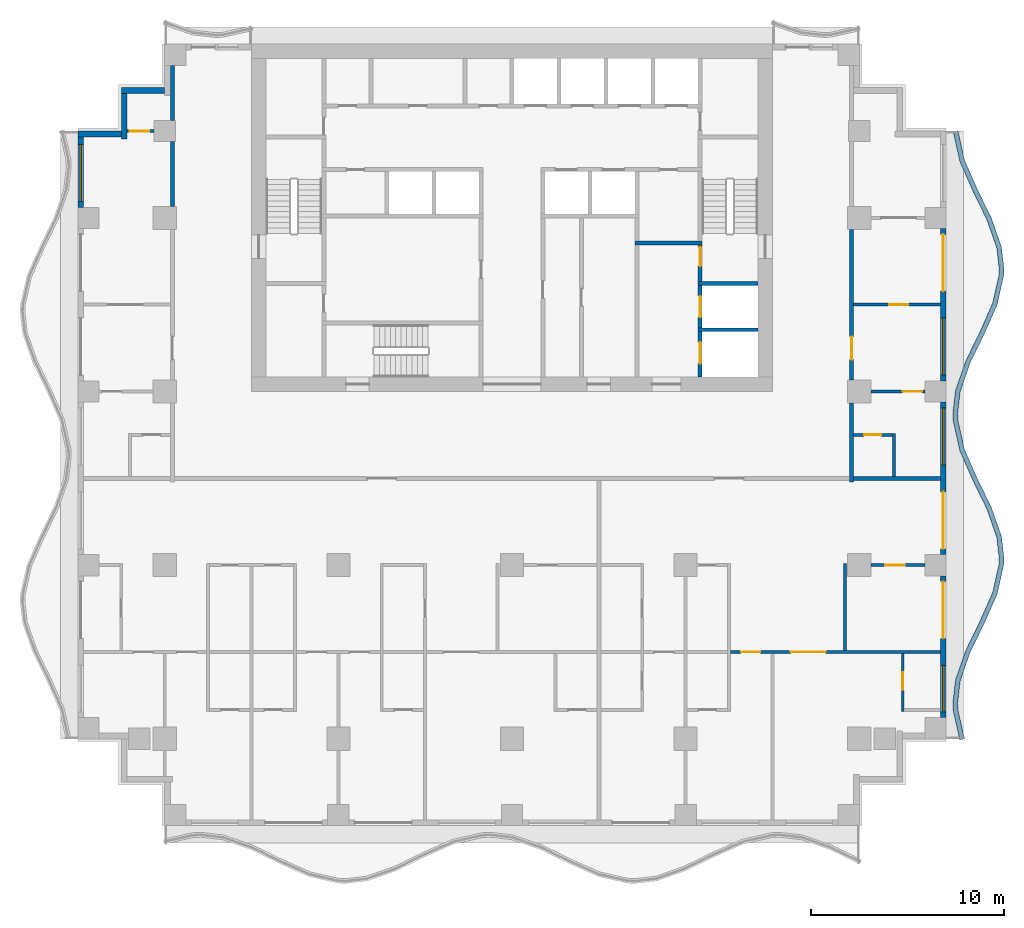
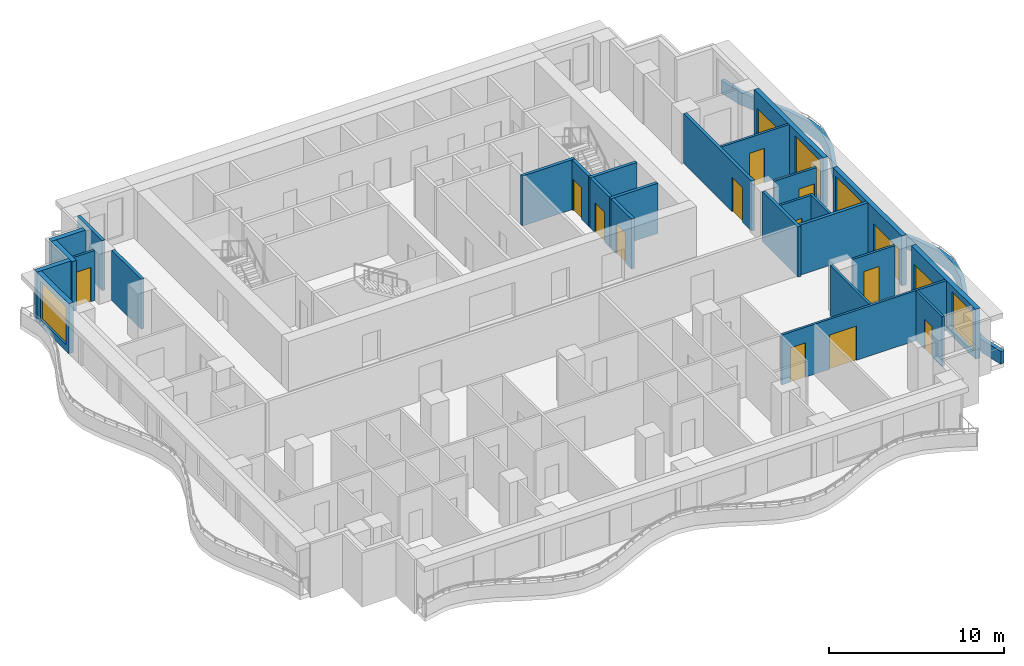
# One storey, part 4 of 10: 28 walls, 15 doors, 4 windows, 19 openings.
"""IFC4 building model written with IfcOpenShell, lengths in metres."""

from ifc_helpers import new_model, si_unit, direction, frame, frame_2d, origin, place, context, subcontext, project, spatial, polyline, rectangle, outline, extrude, material, layer, layer_set, type_object, element, fill, save


model = new_model("IFC4")

# Units and contexts
model_context = context("Model", 3, precision=1e-05, world=origin(), true_north=direction((0.0, 1.0)))
body_context = subcontext(model_context, "Body", "Model", "MODEL_VIEW")
ifc_project = project(units=[si_unit("LENGTHUNIT", "METRE"), si_unit("AREAUNIT", "SQUARE_METRE"), si_unit("VOLUMEUNIT", "CUBIC_METRE"), si_unit("PLANEANGLEUNIT", "RADIAN"), si_unit("MASSUNIT", "GRAM", prefix="KILO")], contexts=[model_context])

# Site, building, storey
site_placement = place(None, origin())
site = spatial("IfcSite", under=ifc_project, at=site_placement, CompositionType="ELEMENT")
building_placement = place(site_placement, origin())
building = spatial("IfcBuilding", under=site, at=building_placement, Name="Orbiselva Terraces", CompositionType="ELEMENT")
storey_placement = place(building_placement, frame((0.0, 0.0, 163.0)))
storey = spatial("IfcBuildingStorey", under=building, at=storey_placement, Name="L41", CompositionType="ELEMENT", Elevation=163.0)

# Wall
ifc_material_1 = material(Name="Concrete C60/75", Category="concrete")
ifc_layer_1 = layer(ifc_material_1, 0.2)
ifc_layer_set_1 = layer_set([ifc_layer_1], Name="Concrete C60/75")
wall_type_1 = type_object("IfcWallType", Name="CORE-WALL-SHEAR-200", PredefinedType="SHEAR", material=ifc_layer_set_1)
wall_1_placement = place(storey_placement, frame((6.375, 12.2, 0.0), z_axis=(0.0, 0.0, 1.0), x_axis=(1.0, 0.0, 0.0)))
element("IfcWall", 1, at=wall_1_placement, inside=storey, type_object=wall_type_1, Name="L41 core wall 31", PredefinedType="SHEAR", context=body_context, shape_type="SweptSolid", body=[
    extrude(rectangle(XDim=3.475, YDim=0.2, at=frame_2d((1.7375, 0.0))), origin(), (0.0, 0.0, 1.0), 3.5),
])

# Wall, opening, door
wall_2_placement = place(storey_placement, frame((9.75, 5.25, 0.0), z_axis=(0.0, 0.0, 1.0), x_axis=(0.0, 1.0, 0.0)))
wall_2 = element("IfcWall", 2, at=wall_2_placement, inside=storey, type_object=wall_type_1, Name="L41 core wall 35", PredefinedType="SHEAR", context=body_context, shape_type="SweptSolid", body=[
    extrude(rectangle(XDim=2.35, YDim=0.2, at=frame_2d((1.175, 0.0))), origin(), (0.0, 0.0, 1.0), 3.5),
])
opening_1_placement = place(wall_2_placement, frame((0.7, 0.0, 0.0)))
opening_1 = element("IfcOpeningElement", 3, at=opening_1_placement, cuts=wall_2, Name="Opening LD-FF1", PredefinedType="OPENING", context=body_context, shape_type="SweptSolid", body=[
    extrude(rectangle(XDim=1.1, YDim=2.1, at=frame_2d((0.55, 1.05))), frame((0.0, 0.11, 0.0), z_axis=(0.0, -1.0, 0.0), x_axis=(1.0, 0.0, 0.0)), (0.0, 0.0, 1.0), 0.22),
])
ifc_material_2 = material(Name="Stainless steel landing door", Category="steel")
door_type_1 = type_object("IfcDoorType", Name="LANDING DOOR 1100", OperationType="SLIDING_TO_LEFT", PredefinedType="DOOR", material=ifc_material_2)
door_1_placement = place(opening_1_placement, origin())
door_1 = element("IfcDoor", 4, at=door_1_placement, inside=storey, type_object=door_type_1, Name="L41 landing door FF1", OperationType="SLIDING_TO_RIGHT", OverallHeight=2.1, OverallWidth=1.1, PredefinedType="DOOR", context=body_context, shape_type="SweptSolid", body=[
    extrude(rectangle(XDim=1.1, YDim=2.1, at=frame_2d((0.55, 1.05))), frame((0.0, 0.025, 0.0), z_axis=(0.0, -1.0, 0.0), x_axis=(1.0, 0.0, 0.0)), (0.0, 0.0, 1.0), 0.05),
])
fill(opening_1, door_1)

# Wall
wall_3_placement = place(storey_placement, frame((9.65, 7.7, 0.0), z_axis=(0.0, 0.0, 1.0), x_axis=(1.0, 0.0, 0.0)))
element("IfcWall", 5, at=wall_3_placement, inside=storey, type_object=wall_type_1, Name="L41 core wall 36", PredefinedType="SHEAR", context=body_context, shape_type="SweptSolid", body=[
    extrude(rectangle(XDim=3.1, YDim=0.2, at=frame_2d((1.55, 0.0))), origin(), (0.0, 0.0, 1.0), 3.5),
])

# Wall, opening, door
wall_4_placement = place(storey_placement, frame((9.75, 7.8, 0.0), z_axis=(0.0, 0.0, 1.0), x_axis=(0.0, 1.0, 0.0)))
wall_4 = element("IfcWall", 6, at=wall_4_placement, inside=storey, type_object=wall_type_1, Name="L41 core wall 37", PredefinedType="SHEAR", context=body_context, shape_type="SweptSolid", body=[
    extrude(rectangle(XDim=2.2, YDim=0.2, at=frame_2d((1.1, 0.0))), origin(), (0.0, 0.0, 1.0), 3.5),
])
opening_2_placement = place(wall_4_placement, frame((0.55, 0.0, 0.0)))
opening_2 = element("IfcOpeningElement", 7, at=opening_2_placement, cuts=wall_4, Name="Opening LD-FF2", PredefinedType="OPENING", context=body_context, shape_type="SweptSolid", body=[
    extrude(rectangle(XDim=1.1, YDim=2.1, at=frame_2d((0.55, 1.05))), frame((0.0, 0.11, 0.0), z_axis=(0.0, -1.0, 0.0), x_axis=(1.0, 0.0, 0.0)), (0.0, 0.0, 1.0), 0.22),
])
door_2_placement = place(opening_2_placement, origin())
door_2 = element("IfcDoor", 8, at=door_2_placement, inside=storey, type_object=door_type_1, Name="L41 landing door FF2", OperationType="SLIDING_TO_RIGHT", OverallHeight=2.1, OverallWidth=1.1, PredefinedType="DOOR", context=body_context, shape_type="SweptSolid", body=[
    extrude(rectangle(XDim=1.1, YDim=2.1, at=frame_2d((0.55, 1.05))), frame((0.0, 0.025, 0.0), z_axis=(0.0, -1.0, 0.0), x_axis=(1.0, 0.0, 0.0)), (0.0, 0.0, 1.0), 0.05),
])
fill(opening_2, door_2)

# Wall
wall_5_placement = place(storey_placement, frame((9.65, 10.1, 0.0), z_axis=(0.0, 0.0, 1.0), x_axis=(1.0, 0.0, 0.0)))
element("IfcWall", 9, at=wall_5_placement, inside=storey, type_object=wall_type_1, Name="L41 core wall 38", PredefinedType="SHEAR", context=body_context, shape_type="SweptSolid", body=[
    extrude(rectangle(XDim=3.1, YDim=0.2, at=frame_2d((1.55, 0.0))), origin(), (0.0, 0.0, 1.0), 3.5),
])

# Wall, opening, door
wall_6_placement = place(storey_placement, frame((9.75, 12.1, 0.0), z_axis=(0.0, 0.0, 1.0), x_axis=(0.0, -1.0, 0.0)))
wall_6 = element("IfcWall", 10, at=wall_6_placement, inside=storey, type_object=wall_type_1, Name="L41 core wall 39", PredefinedType="SHEAR", context=body_context, shape_type="SweptSolid", body=[
    extrude(rectangle(XDim=1.9, YDim=0.2, at=frame_2d((0.95, 0.0))), origin(), (0.0, 0.0, 1.0), 3.5),
])
opening_3_placement = place(wall_6_placement, frame((0.1, 0.0, 0.0)))
opening_3 = element("IfcOpeningElement", 11, at=opening_3_placement, cuts=wall_6, Name="Opening DS1000", PredefinedType="OPENING", context=body_context, shape_type="SweptSolid", body=[
    extrude(rectangle(XDim=1.0, YDim=2.2, at=frame_2d((0.5, 1.1))), frame((0.0, 0.11, 0.0), z_axis=(0.0, -1.0, 0.0), x_axis=(1.0, 0.0, 0.0)), (0.0, 0.0, 1.0), 0.22),
])
ifc_material_3 = material(Name="Steel fire door", Category="steel")
door_type_2 = type_object("IfcDoorType", Name="STAIR DOOR 1000", OperationType="NOTDEFINED", PredefinedType="DOOR", material=ifc_material_3)
door_3_placement = place(opening_3_placement, origin())
door_3 = element("IfcDoor", 12, at=door_3_placement, inside=storey, type_object=door_type_2, Name="L41 FIRE-FIGHTING LOBBY TO EXIT STAIR S2 door", OperationType="SINGLE_SWING_LEFT", OverallHeight=2.2, OverallWidth=1.0, PredefinedType="DOOR", context=body_context, shape_type="SweptSolid", body=[
    extrude(rectangle(XDim=1.0, YDim=2.2, at=frame_2d((0.5, 1.1))), frame((0.0, 0.025, 0.0), z_axis=(0.0, -1.0, 0.0), x_axis=(1.0, 0.0, 0.0)), (0.0, 0.0, 1.0), 0.05),
])
fill(opening_3, door_3)

# Wall
ifc_material_4 = material(Name="Concrete C40/50", Category="concrete")
ifc_layer_2 = layer(ifc_material_4, 0.25)
ifc_layer_set_2 = layer_set([ifc_layer_2], Name="Concrete C40/50")
wall_type_2 = type_object("IfcWallType", Name="ENV-PLANTER-250x900", PredefinedType="USERDEFINED", material=ifc_layer_set_2)
wall_7_placement = place(storey_placement, origin())
element("IfcWall", 13, at=wall_7_placement, inside=storey, type_object=wall_type_2, Name="Balcony planter L41 E", ObjectType="PLANTER", PredefinedType="USERDEFINED", context=body_context, shape_type="SweptSolid", body=[
    extrude(outline(polyline([(23.451472, -13.5), (23.114774, -12.0), (23.1, -11.625), (23.230792, -10.5), (23.755211, -9.0), (24.487721, -7.5), (25.148528, -6.0), (25.485226, -4.5), (25.5, -4.125), (25.369208, -3.0), (24.844789, -1.5), (24.112279, 0.0), (23.451472, 1.5), (23.114774, 3.0), (23.1, 3.375), (23.230792, 4.5), (23.755211, 6.0), (24.487721, 7.5), (25.148528, 9.0), (25.485226, 10.5), (25.5, 10.875), (25.369208, 12.0), (24.844789, 13.5), (24.112279, 15.0), (23.451472, 16.5), (23.114774, 18.0), (22.870844, 17.945246), (23.212874, 16.421492), (23.885477, 14.894714), (24.613667, 13.40356), (25.124078, 11.943629), (25.249429, 10.865428), (25.236315, 10.532565), (24.90993, 9.078508), (24.260919, 7.605286), (23.524089, 6.09644), (22.985662, 4.556371), (22.849429, 3.384572), (22.865863, 2.967435), (23.212874, 1.421492), (23.885477, -0.105286), (24.613667, -1.59644), (25.124078, -3.056371), (25.249429, -4.134572), (25.236315, -4.467435), (24.90993, -5.921492), (24.260919, -7.394714), (23.524089, -8.90356), (22.985662, -10.443629), (22.849429, -11.615428), (22.865863, -12.032565), (23.207542, -13.554754), (23.451472, -13.5)])), origin(), (0.0, 0.0, 1.0), 0.9),
])

# Wall, openings, door, window
ifc_material_5 = material(Name="Terracotta cladding on masonry backing", Category="masonry")
ifc_layer_3 = layer(ifc_material_5, 0.3)
ifc_layer_set_3 = layer_set([ifc_layer_3], Name="Terracotta cladding on masonry backing")
wall_type_3 = type_object("IfcWallType", Name="ENV-WALL-TERRACOTTA-300", PredefinedType="SOLIDWALL", material=ifc_layer_set_3)
wall_8_placement = place(storey_placement, frame((22.35, -5.05, 0.0), z_axis=(0.0, 0.0, 1.0), x_axis=(0.0, -1.0, 0.0)))
wall_8 = element("IfcWall", 14, at=wall_8_placement, inside=storey, type_object=wall_type_3, Name="Facade wall L41 E", PredefinedType="SOLIDWALL", context=body_context, shape_type="SweptSolid", body=[
    extrude(rectangle(XDim=7.35, YDim=0.3, at=frame_2d((3.675, 0.0))), origin(), (0.0, 0.0, 1.0), 3.5),
])
opening_4_placement = place(wall_8_placement, frame((4.65, 0.0, 0.45)))
opening_4 = element("IfcOpeningElement", 15, at=opening_4_placement, cuts=wall_8, Name="Opening WN11", PredefinedType="OPENING", context=body_context, shape_type="SweptSolid", body=[
    extrude(rectangle(XDim=2.4, YDim=2.65, at=frame_2d((1.2, 1.325))), frame((0.0, 0.16, 0.0), z_axis=(0.0, -1.0, 0.0), x_axis=(1.0, 0.0, 0.0)), (0.0, 0.0, 1.0), 0.32),
])
opening_5_placement = place(wall_8_placement, frame((0.3, 0.0, 0.0)))
opening_5 = element("IfcOpeningElement", 16, at=opening_5_placement, cuts=wall_8, Name="Opening Z3-D-E10", PredefinedType="OPENING", context=body_context, shape_type="SweptSolid", body=[
    extrude(rectangle(XDim=2.95, YDim=2.4, at=frame_2d((1.475, 1.2))), frame((0.0, 0.16, 0.0), z_axis=(0.0, -1.0, 0.0), x_axis=(1.0, 0.0, 0.0)), (0.0, 0.0, 1.0), 0.32),
])
ifc_material_6 = material(Name="Clear low-e glazing in aluminium frame", Category="aluminium")
door_type_3 = type_object("IfcDoorType", Name="BALCONY DOOR 2950 X 2400", OperationType="DOUBLE_DOOR_SLIDING", PredefinedType="DOOR", material=ifc_material_6)
door_4_placement = place(opening_5_placement, origin())
door_4 = element("IfcDoor", 17, at=door_4_placement, inside=storey, type_object=door_type_3, Name="Z3-D-E10", OperationType="SINGLE_SWING_LEFT", OverallHeight=2.4, OverallWidth=2.95, PredefinedType="DOOR", context=body_context, shape_type="SweptSolid", body=[
    extrude(rectangle(XDim=2.95, YDim=2.4, at=frame_2d((1.475, 1.2))), frame((0.0, 0.025, 0.0), z_axis=(0.0, -1.0, 0.0), x_axis=(1.0, 0.0, 0.0)), (0.0, 0.0, 1.0), 0.05),
])
fill(opening_5, door_4)
window_type_1 = type_object("IfcWindowType", Name="WINDOW 2400 X 2650 S450", PartitioningType="TRIPLE_PANEL_VERTICAL", PredefinedType="WINDOW", material=ifc_material_6)
window_1_placement = place(opening_4_placement, origin())
window_1 = element("IfcWindow", 18, at=window_1_placement, inside=storey, type_object=window_type_1, Name="Window L41 E", OverallHeight=2.65, OverallWidth=2.4, PartitioningType="SINGLE_PANEL", PredefinedType="WINDOW", context=body_context, shape_type="SweptSolid", body=[
    extrude(rectangle(XDim=2.4, YDim=2.65, at=frame_2d((1.2, 1.325))), frame((0.0, 0.03, 0.0), z_axis=(0.0, -1.0, 0.0), x_axis=(1.0, 0.0, 0.0)), (0.0, 0.0, 1.0), 0.06),
])
fill(opening_4, window_1)

wall_9_placement = place(storey_placement, frame((22.35, 3.95, 0.0), z_axis=(0.0, 0.0, 1.0), x_axis=(0.0, -1.0, 0.0)))
wall_9 = element("IfcWall", 19, at=wall_9_placement, inside=storey, type_object=wall_type_3, Name="Facade wall L41 E", PredefinedType="SOLIDWALL", context=body_context, shape_type="SweptSolid", body=[
    extrude(rectangle(XDim=7.9, YDim=0.3, at=frame_2d((3.95, 0.0))), origin(), (0.0, 0.0, 1.0), 3.5),
])
opening_6_placement = place(wall_9_placement, frame((4.65, 0.0, 0.0)))
opening_6 = element("IfcOpeningElement", 20, at=opening_6_placement, cuts=wall_9, Name="Opening Z3-D-E03", PredefinedType="OPENING", context=body_context, shape_type="SweptSolid", body=[
    extrude(rectangle(XDim=2.95, YDim=2.4, at=frame_2d((1.475, 1.2))), frame((0.0, 0.16, 0.0), z_axis=(0.0, -1.0, 0.0), x_axis=(1.0, 0.0, 0.0)), (0.0, 0.0, 1.0), 0.32),
])
opening_7_placement = place(wall_9_placement, frame((0.3, 0.0, 0.45)))
opening_7 = element("IfcOpeningElement", 21, at=opening_7_placement, cuts=wall_9, Name="Opening WN12", PredefinedType="OPENING", context=body_context, shape_type="SweptSolid", body=[
    extrude(rectangle(XDim=2.95, YDim=2.65, at=frame_2d((1.475, 1.325))), frame((0.0, 0.16, 0.0), z_axis=(0.0, -1.0, 0.0), x_axis=(1.0, 0.0, 0.0)), (0.0, 0.0, 1.0), 0.32),
])
door_5_placement = place(opening_6_placement, origin())
door_5 = element("IfcDoor", 22, at=door_5_placement, inside=storey, type_object=door_type_3, Name="Z3-D-E03", OperationType="SINGLE_SWING_LEFT", OverallHeight=2.4, OverallWidth=2.95, PredefinedType="DOOR", context=body_context, shape_type="SweptSolid", body=[
    extrude(rectangle(XDim=2.95, YDim=2.4, at=frame_2d((1.475, 1.2))), frame((0.0, 0.025, 0.0), z_axis=(0.0, -1.0, 0.0), x_axis=(1.0, 0.0, 0.0)), (0.0, 0.0, 1.0), 0.05),
])
fill(opening_6, door_5)
window_type_2 = type_object("IfcWindowType", Name="WINDOW 2950 X 2650 S450", PartitioningType="TRIPLE_PANEL_VERTICAL", PredefinedType="WINDOW", material=ifc_material_6)
window_2_placement = place(opening_7_placement, origin())
window_2 = element("IfcWindow", 23, at=window_2_placement, inside=storey, type_object=window_type_2, Name="Window L41 E", OverallHeight=2.65, OverallWidth=2.95, PartitioningType="SINGLE_PANEL", PredefinedType="WINDOW", context=body_context, shape_type="SweptSolid", body=[
    extrude(rectangle(XDim=2.95, YDim=2.65, at=frame_2d((1.475, 1.325))), frame((0.0, 0.03, 0.0), z_axis=(0.0, -1.0, 0.0), x_axis=(1.0, 0.0, 0.0)), (0.0, 0.0, 1.0), 0.06),
])
fill(opening_7, window_2)

wall_10_placement = place(storey_placement, frame((22.35, 12.95, 0.0), z_axis=(0.0, 0.0, 1.0), x_axis=(0.0, -1.0, 0.0)))
wall_10 = element("IfcWall", 24, at=wall_10_placement, inside=storey, type_object=wall_type_3, Name="Facade wall L41 E", PredefinedType="SOLIDWALL", context=body_context, shape_type="SweptSolid", body=[
    extrude(rectangle(XDim=7.9, YDim=0.3, at=frame_2d((3.95, 0.0))), origin(), (0.0, 0.0, 1.0), 3.5),
])
opening_8_placement = place(wall_10_placement, frame((4.65, 0.0, 0.45)))
opening_8 = element("IfcOpeningElement", 25, at=opening_8_placement, cuts=wall_10, Name="Opening WN12", PredefinedType="OPENING", context=body_context, shape_type="SweptSolid", body=[
    extrude(rectangle(XDim=2.95, YDim=2.65, at=frame_2d((1.475, 1.325))), frame((0.0, 0.16, 0.0), z_axis=(0.0, -1.0, 0.0), x_axis=(1.0, 0.0, 0.0)), (0.0, 0.0, 1.0), 0.32),
])
opening_9_placement = place(wall_10_placement, frame((0.3, 0.0, 0.0)))
opening_9 = element("IfcOpeningElement", 26, at=opening_9_placement, cuts=wall_10, Name="Opening Z3-D-E04", PredefinedType="OPENING", context=body_context, shape_type="SweptSolid", body=[
    extrude(rectangle(XDim=2.95, YDim=2.4, at=frame_2d((1.475, 1.2))), frame((0.0, 0.16, 0.0), z_axis=(0.0, -1.0, 0.0), x_axis=(1.0, 0.0, 0.0)), (0.0, 0.0, 1.0), 0.32),
])
door_6_placement = place(opening_9_placement, origin())
door_6 = element("IfcDoor", 27, at=door_6_placement, inside=storey, type_object=door_type_3, Name="Z3-D-E04", OperationType="SINGLE_SWING_LEFT", OverallHeight=2.4, OverallWidth=2.95, PredefinedType="DOOR", context=body_context, shape_type="SweptSolid", body=[
    extrude(rectangle(XDim=2.95, YDim=2.4, at=frame_2d((1.475, 1.2))), frame((0.0, 0.025, 0.0), z_axis=(0.0, -1.0, 0.0), x_axis=(1.0, 0.0, 0.0)), (0.0, 0.0, 1.0), 0.05),
])
fill(opening_9, door_6)
window_3_placement = place(opening_8_placement, origin())
window_3 = element("IfcWindow", 28, at=window_3_placement, inside=storey, type_object=window_type_2, Name="Window L41 E", OverallHeight=2.65, OverallWidth=2.95, PartitioningType="SINGLE_PANEL", PredefinedType="WINDOW", context=body_context, shape_type="SweptSolid", body=[
    extrude(rectangle(XDim=2.95, YDim=2.65, at=frame_2d((1.475, 1.325))), frame((0.0, 0.03, 0.0), z_axis=(0.0, -1.0, 0.0), x_axis=(1.0, 0.0, 0.0)), (0.0, 0.0, 1.0), 0.06),
])
fill(opening_8, window_3)

# Walls
wall_11_placement = place(storey_placement, frame((-20.25, 20.1, 0.0), z_axis=(0.0, 0.0, 1.0), x_axis=(1.0, 0.0, 0.0)))
element("IfcWall", 29, at=wall_11_placement, inside=storey, type_object=wall_type_3, Name="Facade wall L41 STEP", PredefinedType="SOLIDWALL", context=body_context, shape_type="SweptSolid", body=[
    extrude(rectangle(XDim=2.25, YDim=0.3, at=frame_2d((1.125, 0.0))), origin(), (0.0, 0.0, 1.0), 3.5),
])
wall_12_placement = place(storey_placement, frame((-20.1, 17.6, 0.0), z_axis=(0.0, 0.0, 1.0), x_axis=(0.0, 1.0, 0.0)))
element("IfcWall", 30, at=wall_12_placement, inside=storey, type_object=wall_type_3, Name="Facade wall L41 STEP", PredefinedType="SOLIDWALL", context=body_context, shape_type="SweptSolid", body=[
    extrude(rectangle(XDim=2.35, YDim=0.3, at=frame_2d((1.175, 0.0))), origin(), (0.0, 0.0, 1.0), 3.5),
])
wall_13_placement = place(storey_placement, frame((-22.5, 17.85, 0.0), z_axis=(0.0, 0.0, 1.0), x_axis=(1.0, 0.0, 0.0)))
element("IfcWall", 31, at=wall_13_placement, inside=storey, type_object=wall_type_3, Name="Facade wall L41 STEP", PredefinedType="SOLIDWALL", context=body_context, shape_type="SweptSolid", body=[
    extrude(rectangle(XDim=2.25, YDim=0.3, at=frame_2d((1.125, 0.0))), origin(), (0.0, 0.0, 1.0), 3.5),
])

# Wall, opening, window
wall_14_placement = place(storey_placement, frame((-22.35, 14.05, 0.0), z_axis=(0.0, 0.0, 1.0), x_axis=(0.0, 1.0, 0.0)))
wall_14 = element("IfcWall", 32, at=wall_14_placement, inside=storey, type_object=wall_type_3, Name="Facade wall L41 W", PredefinedType="SOLIDWALL", context=body_context, shape_type="SweptSolid", body=[
    extrude(rectangle(XDim=3.65, YDim=0.3, at=frame_2d((1.825, 0.0))), origin(), (0.0, 0.0, 1.0), 3.5),
])
opening_10_placement = place(wall_14_placement, frame((0.3, 0.0, 0.45)))
opening_10 = element("IfcOpeningElement", 33, at=opening_10_placement, cuts=wall_14, Name="Opening WN12", PredefinedType="OPENING", context=body_context, shape_type="SweptSolid", body=[
    extrude(rectangle(XDim=2.95, YDim=2.65, at=frame_2d((1.475, 1.325))), frame((0.0, 0.16, 0.0), z_axis=(0.0, -1.0, 0.0), x_axis=(1.0, 0.0, 0.0)), (0.0, 0.0, 1.0), 0.32),
])
window_4_placement = place(opening_10_placement, origin())
window_4 = element("IfcWindow", 34, at=window_4_placement, inside=storey, type_object=window_type_2, Name="Window L41 W", OverallHeight=2.65, OverallWidth=2.95, PartitioningType="SINGLE_PANEL", PredefinedType="WINDOW", context=body_context, shape_type="SweptSolid", body=[
    extrude(rectangle(XDim=2.95, YDim=2.65, at=frame_2d((1.475, 1.325))), frame((0.0, 0.03, 0.0), z_axis=(0.0, -1.0, 0.0), x_axis=(1.0, 0.0, 0.0)), (0.0, 0.0, 1.0), 0.06),
])
fill(opening_10, window_4)

# Walls
ifc_material_7 = material(Name="Plasterboard on steel stud partition", Category="steel")
ifc_layer_4 = layer(ifc_material_7, 0.2)
ifc_layer_set_4 = layer_set([ifc_layer_4], Name="Plasterboard on steel stud partition")
wall_type_4 = type_object("IfcWallType", Name="UNIT-ENTRANCE-WALL-200", PredefinedType="PARTITIONING", material=ifc_layer_set_4)
wall_15_placement = place(storey_placement, frame((-17.6, 14.1, 0.0), z_axis=(0.0, 0.0, 1.0), x_axis=(0.0, 1.0, 0.0)))
element("IfcWall", 35, at=wall_15_placement, inside=storey, type_object=wall_type_4, Name="PARTITION L41-042", PredefinedType="PARTITIONING", context=body_context, shape_type="SweptSolid", body=[
    extrude(rectangle(XDim=3.35, YDim=0.2, at=frame_2d((1.675, 0.0))), origin(), (0.0, 0.0, 1.0), 3.5),
])
wall_16_placement = place(storey_placement, frame((-17.6, 18.55, 0.0), z_axis=(0.0, 0.0, 1.0), x_axis=(0.0, 1.0, 0.0)))
element("IfcWall", 36, at=wall_16_placement, inside=storey, type_object=wall_type_4, Name="PARTITION L41-043", PredefinedType="PARTITIONING", context=body_context, shape_type="SweptSolid", body=[
    extrude(rectangle(XDim=2.85, YDim=0.2, at=frame_2d((1.425, 0.0))), origin(), (0.0, 0.0, 1.0), 3.5),
])
wall_17_placement = place(storey_placement, frame((17.6, -0.2, 0.0), z_axis=(0.0, 0.0, 1.0), x_axis=(0.0, 1.0, 0.0)))
element("IfcWall", 37, at=wall_17_placement, inside=storey, type_object=wall_type_4, Name="PARTITION L41-060", PredefinedType="PARTITIONING", context=body_context, shape_type="SweptSolid", body=[
    extrude(rectangle(XDim=4.1, YDim=0.2, at=frame_2d((2.05, 0.0))), origin(), (0.0, 0.0, 1.0), 3.5),
])

# Wall, opening, door
wall_18_placement = place(storey_placement, frame((17.6, 12.9, 0.0), z_axis=(0.0, 0.0, 1.0), x_axis=(0.0, -1.0, 0.0)))
wall_18 = element("IfcWall", 38, at=wall_18_placement, inside=storey, type_object=wall_type_4, Name="PARTITION L41-061", PredefinedType="PARTITIONING", context=body_context, shape_type="SweptSolid", body=[
    extrude(rectangle(XDim=7.8, YDim=0.2, at=frame_2d((3.9, 0.0))), origin(), (0.0, 0.0, 1.0), 3.5),
])
opening_11_placement = place(wall_18_placement, frame((5.55, 0.0, 0.0)))
opening_11 = element("IfcOpeningElement", 39, at=opening_11_placement, cuts=wall_18, Name="Opening Z3-D-08", PredefinedType="OPENING", context=body_context, shape_type="SweptSolid", body=[
    extrude(rectangle(XDim=1.2, YDim=2.4, at=frame_2d((0.6, 1.2))), frame((0.0, 0.11, 0.0), z_axis=(0.0, -1.0, 0.0), x_axis=(1.0, 0.0, 0.0)), (0.0, 0.0, 1.0), 0.22),
])
ifc_material_8 = material(Name="Painted timber door leaf", Category="wood")
door_type_4 = type_object("IfcDoorType", Name="ENTRANCE DOOR 1200", OperationType="NOTDEFINED", PredefinedType="DOOR", material=ifc_material_8)
door_7_placement = place(opening_11_placement, origin())
door_7 = element("IfcDoor", 40, at=door_7_placement, inside=storey, type_object=door_type_4, Name="Z3-D-08", OperationType="SINGLE_SWING_RIGHT", OverallHeight=2.4, OverallWidth=1.2, PredefinedType="DOOR", context=body_context, shape_type="SweptSolid", body=[
    extrude(rectangle(XDim=1.2, YDim=2.4, at=frame_2d((0.6, 1.2))), frame((0.0, 0.025, 0.0), z_axis=(0.0, -1.0, 0.0), x_axis=(1.0, 0.0, 0.0)), (0.0, 0.0, 1.0), 0.05),
])
fill(opening_11, door_7)

# Wall, openings, doors
ifc_layer_5 = layer(ifc_material_7, 0.15)
ifc_layer_set_5 = layer_set([ifc_layer_5], Name="Plasterboard on steel stud partition")
wall_type_5 = type_object("IfcWallType", Name="UNIT-PARTITION-150", PredefinedType="PARTITIONING", material=ifc_layer_set_5)
wall_19_placement = place(storey_placement, frame((22.2, -9.0, 0.0), z_axis=(0.0, 0.0, 1.0), x_axis=(-1.0, 0.0, 0.0)))
wall_19 = element("IfcWall", 41, at=wall_19_placement, inside=storey, type_object=wall_type_5, Name="PARTITION L41-017", PredefinedType="PARTITIONING", context=body_context, shape_type="SweptSolid", body=[
    extrude(rectangle(XDim=10.875, YDim=0.15, at=frame_2d((5.4375, 0.0))), origin(), (0.0, 0.0, 1.0), 3.5),
])
opening_12_placement = place(wall_19_placement, frame((9.325, 0.0, 0.0)))
opening_12 = element("IfcOpeningElement", 42, at=opening_12_placement, cuts=wall_19, Name="Opening Z3-D-32", PredefinedType="OPENING", context=body_context, shape_type="SweptSolid", body=[
    extrude(rectangle(XDim=1.0, YDim=2.4, at=frame_2d((0.5, 1.2))), frame((0.0, 0.085, 0.0), z_axis=(0.0, -1.0, 0.0), x_axis=(1.0, 0.0, 0.0)), (0.0, 0.0, 1.0), 0.17),
])
opening_13_placement = place(wall_19_placement, frame((5.95, 0.0, 0.0)))
opening_13 = element("IfcOpeningElement", 43, at=opening_13_placement, cuts=wall_19, Name="Opening Z3-D-34", PredefinedType="OPENING", context=body_context, shape_type="SweptSolid", body=[
    extrude(rectangle(XDim=1.8, YDim=2.4, at=frame_2d((0.9, 1.2))), frame((0.0, 0.085, 0.0), z_axis=(0.0, -1.0, 0.0), x_axis=(1.0, 0.0, 0.0)), (0.0, 0.0, 1.0), 0.17),
])
door_type_5 = type_object("IfcDoorType", Name="DOUBLE DOOR 1800", OperationType="NOTDEFINED", PredefinedType="DOOR", material=ifc_material_8)
door_8_placement = place(opening_13_placement, origin())
door_8 = element("IfcDoor", 44, at=door_8_placement, inside=storey, type_object=door_type_5, Name="Z3-D-34", OperationType="DOUBLE_DOOR_SINGLE_SWING", OverallHeight=2.4, OverallWidth=1.8, PredefinedType="DOOR", context=body_context, shape_type="SweptSolid", body=[
    extrude(rectangle(XDim=1.8, YDim=2.4, at=frame_2d((0.9, 1.2))), frame((0.0, 0.025, 0.0), z_axis=(0.0, -1.0, 0.0), x_axis=(1.0, 0.0, 0.0)), (0.0, 0.0, 1.0), 0.05),
])
fill(opening_13, door_8)
door_type_6 = type_object("IfcDoorType", Name="ROOM DOOR 1000", OperationType="NOTDEFINED", PredefinedType="DOOR", material=ifc_material_8)
door_9_placement = place(opening_12_placement, origin())
door_9 = element("IfcDoor", 45, at=door_9_placement, inside=storey, type_object=door_type_6, Name="Z3-D-32", OperationType="SINGLE_SWING_RIGHT", OverallHeight=2.4, OverallWidth=1.0, PredefinedType="DOOR", context=body_context, shape_type="SweptSolid", body=[
    extrude(rectangle(XDim=1.0, YDim=2.4, at=frame_2d((0.5, 1.2))), frame((0.0, 0.025, 0.0), z_axis=(0.0, -1.0, 0.0), x_axis=(1.0, 0.0, 0.0)), (0.0, 0.0, 1.0), 0.05),
])
fill(opening_12, door_9)

# Wall, opening, door
wall_20_placement = place(storey_placement, frame((21.4, -4.5, 0.0), z_axis=(0.0, 0.0, 1.0), x_axis=(-1.0, 0.0, 0.0)))
wall_20 = element("IfcWall", 46, at=wall_20_placement, inside=storey, type_object=wall_type_5, Name="PARTITION L41-024", PredefinedType="PARTITIONING", context=body_context, shape_type="SweptSolid", body=[
    extrude(rectangle(XDim=2.8, YDim=0.15, at=frame_2d((1.4, 0.0))), origin(), (0.0, 0.0, 1.0), 3.5),
])
opening_14_placement = place(wall_20_placement, frame((1.05, 0.0, 0.0)))
opening_14 = element("IfcOpeningElement", 47, at=opening_14_placement, cuts=wall_20, Name="Opening Z3-D-29", PredefinedType="OPENING", context=body_context, shape_type="SweptSolid", body=[
    extrude(rectangle(XDim=1.0, YDim=2.4, at=frame_2d((0.5, 1.2))), frame((0.0, 0.085, 0.0), z_axis=(0.0, -1.0, 0.0), x_axis=(1.0, 0.0, 0.0)), (0.0, 0.0, 1.0), 0.17),
])
door_10_placement = place(opening_14_placement, origin())
door_10 = element("IfcDoor", 48, at=door_10_placement, inside=storey, type_object=door_type_6, Name="Z3-D-29", OperationType="SINGLE_SWING_RIGHT", OverallHeight=2.4, OverallWidth=1.0, PredefinedType="DOOR", context=body_context, shape_type="SweptSolid", body=[
    extrude(rectangle(XDim=1.0, YDim=2.4, at=frame_2d((0.5, 1.2))), frame((0.0, 0.025, 0.0), z_axis=(0.0, -1.0, 0.0), x_axis=(1.0, 0.0, 0.0)), (0.0, 0.0, 1.0), 0.05),
])
fill(opening_14, door_10)

wall_21_placement = place(storey_placement, frame((19.73, 2.25, 0.0), z_axis=(0.0, 0.0, 1.0), x_axis=(-1.0, 0.0, 0.0)))
wall_21 = element("IfcWall", 49, at=wall_21_placement, inside=storey, type_object=wall_type_5, Name="PARTITION L41-029", PredefinedType="PARTITIONING", context=body_context, shape_type="SweptSolid", body=[
    extrude(rectangle(XDim=2.03, YDim=0.15, at=frame_2d((1.015, 0.0))), origin(), (0.0, 0.0, 1.0), 3.5),
])
opening_15_placement = place(wall_21_placement, frame((0.58, 0.0, 0.0)))
opening_15 = element("IfcOpeningElement", 50, at=opening_15_placement, cuts=wall_21, Name="Opening Z3-D-07", PredefinedType="OPENING", context=body_context, shape_type="SweptSolid", body=[
    extrude(rectangle(XDim=0.9, YDim=2.1, at=frame_2d((0.45, 1.05))), frame((0.0, 0.085, 0.0), z_axis=(0.0, -1.0, 0.0), x_axis=(1.0, 0.0, 0.0)), (0.0, 0.0, 1.0), 0.17),
])
door_type_7 = type_object("IfcDoorType", Name="BATH DOOR 900", OperationType="NOTDEFINED", PredefinedType="DOOR", material=ifc_material_8)
door_11_placement = place(opening_15_placement, origin())
door_11 = element("IfcDoor", 51, at=door_11_placement, inside=storey, type_object=door_type_7, Name="Z3-D-07", OperationType="SINGLE_SWING_RIGHT", OverallHeight=2.1, OverallWidth=0.9, PredefinedType="DOOR", context=body_context, shape_type="SweptSolid", body=[
    extrude(rectangle(XDim=0.9, YDim=2.1, at=frame_2d((0.45, 1.05))), frame((0.0, 0.025, 0.0), z_axis=(0.0, -1.0, 0.0), x_axis=(1.0, 0.0, 0.0)), (0.0, 0.0, 1.0), 0.05),
])
fill(opening_15, door_11)

wall_22_placement = place(storey_placement, frame((21.4, 4.5, 0.0), z_axis=(0.0, 0.0, 1.0), x_axis=(-1.0, 0.0, 0.0)))
wall_22 = element("IfcWall", 52, at=wall_22_placement, inside=storey, type_object=wall_type_5, Name="PARTITION L41-031", PredefinedType="PARTITIONING", context=body_context, shape_type="SweptSolid", body=[
    extrude(rectangle(XDim=2.8, YDim=0.15, at=frame_2d((1.4, 0.0))), origin(), (0.0, 0.0, 1.0), 3.5),
])
opening_16_placement = place(wall_22_placement, frame((0.15, 0.0, 0.0)))
opening_16 = element("IfcOpeningElement", 53, at=opening_16_placement, cuts=wall_22, Name="Opening Z3-D-06", PredefinedType="OPENING", context=body_context, shape_type="SweptSolid", body=[
    extrude(rectangle(XDim=1.0, YDim=2.4, at=frame_2d((0.5, 1.2))), frame((0.0, 0.085, 0.0), z_axis=(0.0, -1.0, 0.0), x_axis=(1.0, 0.0, 0.0)), (0.0, 0.0, 1.0), 0.17),
])
door_12_placement = place(opening_16_placement, origin())
door_12 = element("IfcDoor", 54, at=door_12_placement, inside=storey, type_object=door_type_6, Name="Z3-D-06", OperationType="SINGLE_SWING_LEFT", OverallHeight=2.4, OverallWidth=1.0, PredefinedType="DOOR", context=body_context, shape_type="SweptSolid", body=[
    extrude(rectangle(XDim=1.0, YDim=2.4, at=frame_2d((0.5, 1.2))), frame((0.0, 0.025, 0.0), z_axis=(0.0, -1.0, 0.0), x_axis=(1.0, 0.0, 0.0)), (0.0, 0.0, 1.0), 0.05),
])
fill(opening_16, door_12)

wall_23_placement = place(storey_placement, frame((17.7, 9.0, 0.0), z_axis=(0.0, 0.0, 1.0), x_axis=(1.0, 0.0, 0.0)))
wall_23 = element("IfcWall", 55, at=wall_23_placement, inside=storey, type_object=wall_type_5, Name="PARTITION L41-033", PredefinedType="PARTITIONING", context=body_context, shape_type="SweptSolid", body=[
    extrude(rectangle(XDim=4.5, YDim=0.15, at=frame_2d((2.25, 0.0))), origin(), (0.0, 0.0, 1.0), 3.5),
])
opening_17_placement = place(wall_23_placement, frame((1.85, 0.0, 0.0)))
opening_17 = element("IfcOpeningElement", 56, at=opening_17_placement, cuts=wall_23, Name="Opening Z3-D-09", PredefinedType="OPENING", context=body_context, shape_type="SweptSolid", body=[
    extrude(rectangle(XDim=1.0, YDim=2.4, at=frame_2d((0.5, 1.2))), frame((0.0, 0.085, 0.0), z_axis=(0.0, -1.0, 0.0), x_axis=(1.0, 0.0, 0.0)), (0.0, 0.0, 1.0), 0.17),
])
door_13_placement = place(opening_17_placement, origin())
door_13 = element("IfcDoor", 57, at=door_13_placement, inside=storey, type_object=door_type_6, Name="Z3-D-09", OperationType="SINGLE_SWING_RIGHT", OverallHeight=2.4, OverallWidth=1.0, PredefinedType="DOOR", context=body_context, shape_type="SweptSolid", body=[
    extrude(rectangle(XDim=1.0, YDim=2.4, at=frame_2d((0.5, 1.2))), frame((0.0, 0.025, 0.0), z_axis=(0.0, -1.0, 0.0), x_axis=(1.0, 0.0, 0.0)), (0.0, 0.0, 1.0), 0.05),
])
fill(opening_17, door_13)

wall_24_placement = place(storey_placement, frame((-19.95, 18.0, 0.0), z_axis=(0.0, 0.0, 1.0), x_axis=(1.0, 0.0, 0.0)))
wall_24 = element("IfcWall", 58, at=wall_24_placement, inside=storey, type_object=wall_type_5, Name="PARTITION L41-035", PredefinedType="PARTITIONING", context=body_context, shape_type="SweptSolid", body=[
    extrude(rectangle(XDim=1.4, YDim=0.15, at=frame_2d((0.7, 0.0))), origin(), (0.0, 0.0, 1.0), 3.5),
])
opening_18_placement = place(wall_24_placement, frame((0.15, 0.0, 0.0)))
opening_18 = element("IfcOpeningElement", 59, at=opening_18_placement, cuts=wall_24, Name="Opening Z3-D-05", PredefinedType="OPENING", context=body_context, shape_type="SweptSolid", body=[
    extrude(rectangle(XDim=1.0, YDim=2.4, at=frame_2d((0.5, 1.2))), frame((0.0, 0.085, 0.0), z_axis=(0.0, -1.0, 0.0), x_axis=(1.0, 0.0, 0.0)), (0.0, 0.0, 1.0), 0.17),
])
door_14_placement = place(opening_18_placement, origin())
door_14 = element("IfcDoor", 60, at=door_14_placement, inside=storey, type_object=door_type_6, Name="Z3-D-05", OperationType="SINGLE_SWING_LEFT", OverallHeight=2.4, OverallWidth=1.0, PredefinedType="DOOR", context=body_context, shape_type="SweptSolid", body=[
    extrude(rectangle(XDim=1.0, YDim=2.4, at=frame_2d((0.5, 1.2))), frame((0.0, 0.025, 0.0), z_axis=(0.0, -1.0, 0.0), x_axis=(1.0, 0.0, 0.0)), (0.0, 0.0, 1.0), 0.05),
])
fill(opening_18, door_14)

# Walls
wall_25_placement = place(storey_placement, frame((17.25, -8.925, 0.0), z_axis=(0.0, 0.0, 1.0), x_axis=(0.0, 1.0, 0.0)))
element("IfcWall", 61, at=wall_25_placement, inside=storey, type_object=wall_type_5, Name="PARTITION L41-059", PredefinedType="PARTITIONING", context=body_context, shape_type="SweptSolid", body=[
    extrude(rectangle(XDim=4.5, YDim=0.15, at=frame_2d((2.25, 0.0))), origin(), (0.0, 0.0, 1.0), 3.5),
])
wall_26_placement = place(storey_placement, frame((19.805, 0.1, 0.0), z_axis=(0.0, 0.0, 1.0), x_axis=(0.0, 1.0, 0.0)))
element("IfcWall", 62, at=wall_26_placement, inside=storey, type_object=wall_type_5, Name="PARTITION L41-064", PredefinedType="PARTITIONING", context=body_context, shape_type="SweptSolid", body=[
    extrude(rectangle(XDim=2.225, YDim=0.15, at=frame_2d((1.1125, 0.0))), origin(), (0.0, 0.0, 1.0), 3.5),
])

# Wall, opening, door
wall_27_placement = place(storey_placement, frame((20.25, -9.075, 0.0), z_axis=(0.0, 0.0, 1.0), x_axis=(0.0, -1.0, 0.0)))
wall_27 = element("IfcWall", 63, at=wall_27_placement, inside=storey, type_object=wall_type_5, Name="PARTITION L41-065", PredefinedType="PARTITIONING", context=body_context, shape_type="SweptSolid", body=[
    extrude(rectangle(XDim=3.0, YDim=0.15, at=frame_2d((1.5, 0.0))), origin(), (0.0, 0.0, 1.0), 3.5),
])
opening_19_placement = place(wall_27_placement, frame((0.975, 0.0, 0.0)))
opening_19 = element("IfcOpeningElement", 64, at=opening_19_placement, cuts=wall_27, Name="Opening Z3-D-35", PredefinedType="OPENING", context=body_context, shape_type="SweptSolid", body=[
    extrude(rectangle(XDim=0.9, YDim=2.1, at=frame_2d((0.45, 1.05))), frame((0.0, 0.085, 0.0), z_axis=(0.0, -1.0, 0.0), x_axis=(1.0, 0.0, 0.0)), (0.0, 0.0, 1.0), 0.17),
])
door_15_placement = place(opening_19_placement, origin())
door_15 = element("IfcDoor", 65, at=door_15_placement, inside=storey, type_object=door_type_7, Name="Z3-D-35", OperationType="SINGLE_SWING_LEFT", OverallHeight=2.1, OverallWidth=0.9, PredefinedType="DOOR", context=body_context, shape_type="SweptSolid", body=[
    extrude(rectangle(XDim=0.9, YDim=2.1, at=frame_2d((0.45, 1.05))), frame((0.0, 0.025, 0.0), z_axis=(0.0, -1.0, 0.0), x_axis=(1.0, 0.0, 0.0)), (0.0, 0.0, 1.0), 0.05),
])
fill(opening_19, door_15)

# Wall
ifc_layer_6 = layer(ifc_material_7, 0.2)
ifc_layer_set_6 = layer_set([ifc_layer_6], Name="Plasterboard on steel stud partition")
wall_type_6 = type_object("IfcWallType", Name="UNIT-PARTY-WALL-200", PredefinedType="PARTITIONING", material=ifc_layer_set_6)
wall_28_placement = place(storey_placement, frame((17.7, 0.0, 0.0), z_axis=(0.0, 0.0, 1.0), x_axis=(1.0, 0.0, 0.0)))
element("IfcWall", 66, at=wall_28_placement, inside=storey, type_object=wall_type_6, Name="PARTITION L41-027", PredefinedType="PARTITIONING", context=body_context, shape_type="SweptSolid", body=[
    extrude(rectangle(XDim=4.5, YDim=0.2, at=frame_2d((2.25, 0.0))), origin(), (0.0, 0.0, 1.0), 3.5),
])

save(model, "model.ifc")
